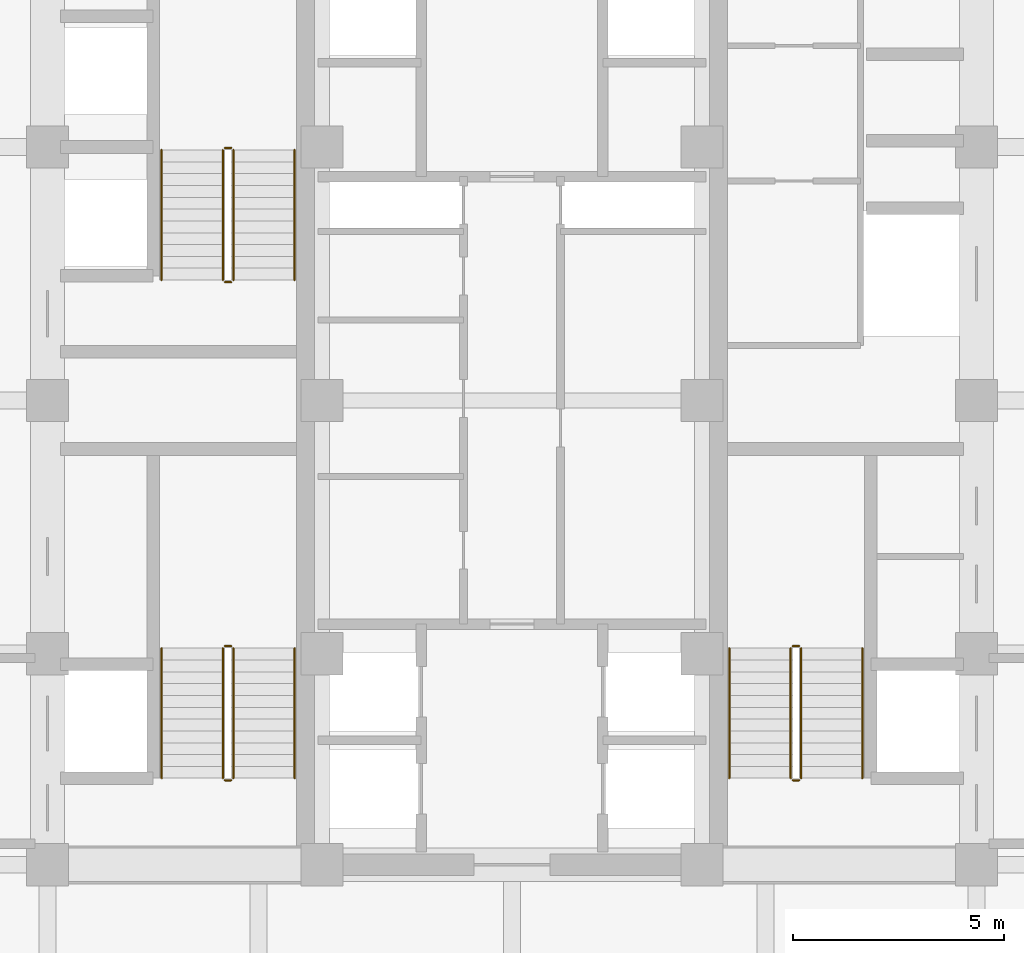
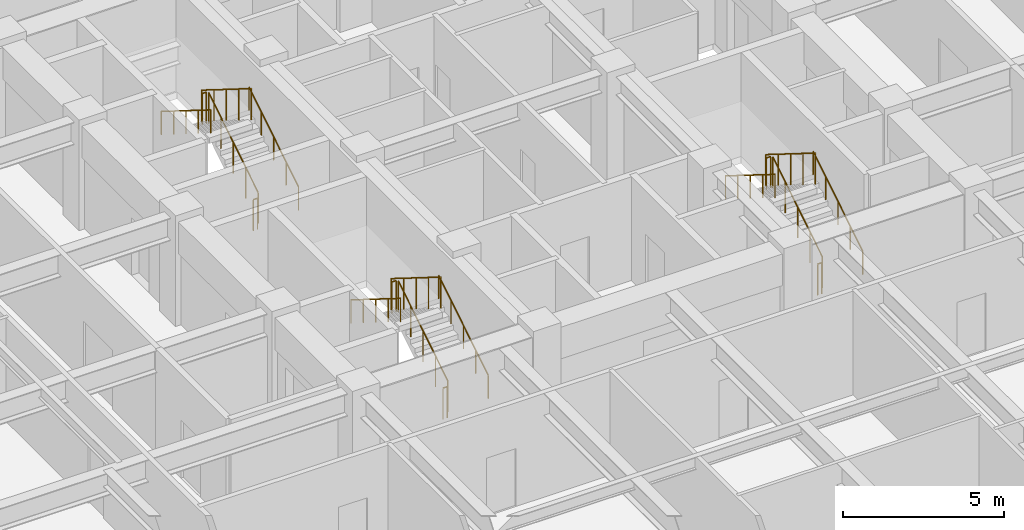
# One storey, part 28 of 28: 18 railings.
"""IFC4 building model written with IfcOpenShell, lengths in metres."""

from ifc_helpers import new_model, si_unit, direction, frame, origin, origin_2d, place, context, subcontext, project, spatial, circle, extrude, source, transform, mapped, material, type_object, element, save


model = new_model("IFC4")

# Units and contexts
model_context = context("Model", 3, precision=1e-05, world=origin(), true_north=direction((0.0, 1.0)))
body_context = subcontext(model_context, "Body", "Model", "MODEL_VIEW")
ifc_project = project(units=[si_unit("LENGTHUNIT", "METRE"), si_unit("AREAUNIT", "SQUARE_METRE"), si_unit("VOLUMEUNIT", "CUBIC_METRE"), si_unit("PLANEANGLEUNIT", "RADIAN"), si_unit("MASSUNIT", "GRAM", prefix="KILO")], contexts=[model_context])

# Site, building, storey
site_placement = place(None, origin())
site = spatial("IfcSite", under=ifc_project, at=site_placement, CompositionType="ELEMENT")
building_placement = place(site_placement, origin())
building = spatial("IfcBuilding", under=site, at=building_placement, Name="Khorayat Bourse Tower", CompositionType="ELEMENT")
storey_placement = place(building_placement, frame((0.0, 0.0, 83.0)))
storey = spatial("IfcBuildingStorey", under=building, at=storey_placement, Name="L18", CompositionType="ELEMENT", Elevation=83.0)

# Railings
ifc_material_1 = material(Name="Powder-coated steel balustrade", Category="steel")
railing_type_1 = type_object("IfcRailingType", Name="RLG-GUARD-1200", PredefinedType="GUARDRAIL", material=ifc_material_1)
shared_shape_1 = source(origin(), body_context, "Body", "SweptSolid", [
    extrude(circle(Radius=0.02392578125, at=origin_2d()), frame((0.0, 0.0, 1.17578125), z_axis=(-1.0, 0.0, 0.0), x_axis=(0.0, -1.0, 0.0)), (0.0, 0.0, 1.0), 0.150146484375),
    extrude(circle(Radius=0.02099609375, at=origin_2d()), origin(), (0.0, 0.0, 1.0), 1.15185546875),
    extrude(circle(Radius=0.02099609375, at=origin_2d()), frame((-0.150146484375, 0.0, 0.0)), (0.0, 0.0, 1.0), 1.15185546875),
])
for number, where, name in (
    (1, (-6.64990234375, -5.820068359375, 2.10009765625), "L18 ST-1 stair guard 2"),
    (2, (-6.64990234375, -9.0, 0.0), "L18 ST-1 stair guard 4"),
    (3, (-6.64990234375, 5.97998046875, 2.10009765625), "L18 ST-2 stair guard 2"),
    (4, (-6.64990234375, 2.800048828125, 0.0), "L18 ST-2 stair guard 4"),
    (5, (6.800048828125, -5.820068359375, 2.10009765625), "L18 ST-3 stair guard 2"),
    (6, (6.800048828125, -9.0, 0.0), "L18 ST-3 stair guard 4"),
):
    element("IfcRailing", number, at=place(storey_placement, frame(where)), inside=storey, type_object=railing_type_1, Name=name, PredefinedType="GUARDRAIL", context=body_context, shape_type="MappedRepresentation", body=[
        mapped(shared_shape_1, transform((0.0, 0.0, 0.0), scale=1.0)),
    ])
shared_shape_2 = source(origin(), body_context, "Body", "SweptSolid", [
    extrude(circle(Radius=0.02392578125, at=origin_2d()), frame((0.0, 0.0, 1.17578125), z_axis=(0.0, 0.847979421464, 0.530029150871), x_axis=(-1.0, 0.0, 0.0)), (0.0, 0.0, 1.0), 3.632080078125),
    extrude(circle(Radius=0.02099609375, at=origin_2d()), origin(), (0.0, 0.0, 1.0), 1.15185546875),
    extrude(circle(Radius=0.02099609375, at=origin_2d()), frame((0.0, 0.77001953125, 0.481201171875)), (0.0, 0.0, 1.0), 1.15185546875),
    extrude(circle(Radius=0.02099609375, at=origin_2d()), frame((0.0, 1.5400390625, 0.96240234375)), (0.0, 0.0, 1.0), 1.15185546875),
    extrude(circle(Radius=0.02099609375, at=origin_2d()), frame((0.0, 2.309814453125, 1.44384765625)), (0.0, 0.0, 1.0), 1.15185546875),
    extrude(circle(Radius=0.02099609375, at=origin_2d()), frame((0.0, 3.079833984375, 1.925048828125)), (0.0, 0.0, 1.0), 1.15185546875),
])
for number, where, name in (
    (7, (-6.60009765625, -8.949951171875, 0.175048828125), "L18 ST-1 stair guard 1"),
    (8, (-6.60009765625, 2.85009765625, 0.175048828125), "L18 ST-2 stair guard 1"),
    (9, (6.85009765625, -8.949951171875, 0.175048828125), "L18 ST-3 stair guard 1"),
):
    element("IfcRailing", number, at=place(storey_placement, frame(where)), inside=storey, type_object=railing_type_1, Name=name, PredefinedType="GUARDRAIL", context=body_context, shape_type="MappedRepresentation", body=[
        mapped(shared_shape_2, transform((0.0, 0.0, 0.0), scale=1.0)),
    ])
shared_shape_3 = source(origin(), body_context, "Body", "SweptSolid", [
    extrude(circle(Radius=0.02392578125, at=origin_2d()), frame((0.0, 0.0, 1.17578125), z_axis=(0.0, -0.847979421464, 0.530029150871), x_axis=(1.0, 0.0, 0.0)), (0.0, 0.0, 1.0), 3.632080078125),
    extrude(circle(Radius=0.02099609375, at=origin_2d()), origin(), (0.0, 0.0, 1.0), 1.15185546875),
    extrude(circle(Radius=0.02099609375, at=origin_2d()), frame((0.0, -0.77001953125, 0.481201171875)), (0.0, 0.0, 1.0), 1.15185546875),
    extrude(circle(Radius=0.02099609375, at=origin_2d()), frame((0.0, -1.5400390625, 0.96240234375)), (0.0, 0.0, 1.0), 1.15185546875),
    extrude(circle(Radius=0.02099609375, at=origin_2d()), frame((0.0, -2.309814453125, 1.44384765625)), (0.0, 0.0, 1.0), 1.15185546875),
    extrude(circle(Radius=0.02099609375, at=origin_2d()), frame((0.0, -3.079833984375, 1.925048828125)), (0.0, 0.0, 1.0), 1.15185546875),
])
for number, where, name in (
    (10, (-6.85009765625, -5.8701171875, 2.27490234375), "L18 ST-1 stair guard 3"),
    (11, (-6.85009765625, 5.929931640625, 2.27490234375), "L18 ST-2 stair guard 3"),
    (12, (6.60009765625, -5.8701171875, 2.27490234375), "L18 ST-3 stair guard 3"),
):
    element("IfcRailing", number, at=place(storey_placement, frame(where)), inside=storey, type_object=railing_type_1, Name=name, PredefinedType="GUARDRAIL", context=body_context, shape_type="MappedRepresentation", body=[
        mapped(shared_shape_3, transform((0.0, 0.0, 0.0), scale=1.0)),
    ])
ifc_material_2 = material(Name="Brushed bronze stainless-steel handrail", Category="steel")
railing_type_2 = type_object("IfcRailingType", Name="RLG-HAND-900", PredefinedType="HANDRAIL", material=ifc_material_2)
shared_shape_4 = source(origin(), body_context, "Body", "SweptSolid", [
    extrude(circle(Radius=0.02392578125, at=origin_2d()), frame((0.0, 0.0, 0.8759765625), z_axis=(0.0, 0.847979421464, 0.530029150871), x_axis=(-1.0, 0.0, 0.0)), (0.0, 0.0, 1.0), 3.632080078125),
    extrude(circle(Radius=0.02099609375, at=origin_2d()), origin(), (0.0, 0.0, 1.0), 0.851806640625),
    extrude(circle(Radius=0.02099609375, at=origin_2d()), frame((0.0, 0.77001953125, 0.481201171875)), (0.0, 0.0, 1.0), 0.851806640625),
    extrude(circle(Radius=0.02099609375, at=origin_2d()), frame((0.0, 1.5400390625, 0.96240234375)), (0.0, 0.0, 1.0), 0.851806640625),
    extrude(circle(Radius=0.02099609375, at=origin_2d()), frame((0.0, 2.309814453125, 1.44384765625)), (0.0, 0.0, 1.0), 0.851806640625),
    extrude(circle(Radius=0.02099609375, at=origin_2d()), frame((0.0, 3.079833984375, 1.925048828125)), (0.0, 0.0, 1.0), 0.851806640625),
])
for number, where, name in (
    (13, (-5.14990234375, -8.949951171875, 0.175048828125), "L18 ST-1 stair handrail 1"),
    (14, (-5.14990234375, 2.85009765625, 0.175048828125), "L18 ST-2 stair handrail 1"),
    (15, (8.300048828125, -8.949951171875, 0.175048828125), "L18 ST-3 stair handrail 1"),
):
    element("IfcRailing", number, at=place(storey_placement, frame(where)), inside=storey, type_object=railing_type_2, Name=name, PredefinedType="HANDRAIL", context=body_context, shape_type="MappedRepresentation", body=[
        mapped(shared_shape_4, transform((0.0, 0.0, 0.0), scale=1.0)),
    ])
shared_shape_5 = source(origin(), body_context, "Body", "SweptSolid", [
    extrude(circle(Radius=0.02392578125, at=origin_2d()), frame((0.0, 0.0, 0.8759765625), z_axis=(0.0, -0.847979421464, 0.530029150871), x_axis=(1.0, 0.0, 0.0)), (0.0, 0.0, 1.0), 3.632080078125),
    extrude(circle(Radius=0.02099609375, at=origin_2d()), origin(), (0.0, 0.0, 1.0), 0.851806640625),
    extrude(circle(Radius=0.02099609375, at=origin_2d()), frame((0.0, -0.77001953125, 0.481201171875)), (0.0, 0.0, 1.0), 0.851806640625),
    extrude(circle(Radius=0.02099609375, at=origin_2d()), frame((0.0, -1.5400390625, 0.96240234375)), (0.0, 0.0, 1.0), 0.851806640625),
    extrude(circle(Radius=0.02099609375, at=origin_2d()), frame((0.0, -2.309814453125, 1.44384765625)), (0.0, 0.0, 1.0), 0.851806640625),
    extrude(circle(Radius=0.02099609375, at=origin_2d()), frame((0.0, -3.079833984375, 1.925048828125)), (0.0, 0.0, 1.0), 0.851806640625),
])
for number, where, name in (
    (16, (-8.300048828125, -5.8701171875, 2.27490234375), "L18 ST-1 stair handrail 2"),
    (17, (-8.300048828125, 5.929931640625, 2.27490234375), "L18 ST-2 stair handrail 2"),
    (18, (5.14990234375, -5.8701171875, 2.27490234375), "L18 ST-3 stair handrail 2"),
):
    element("IfcRailing", number, at=place(storey_placement, frame(where)), inside=storey, type_object=railing_type_2, Name=name, PredefinedType="HANDRAIL", context=body_context, shape_type="MappedRepresentation", body=[
        mapped(shared_shape_5, transform((0.0, 0.0, 0.0), scale=1.0)),
    ])

save(model, "model.ifc")
